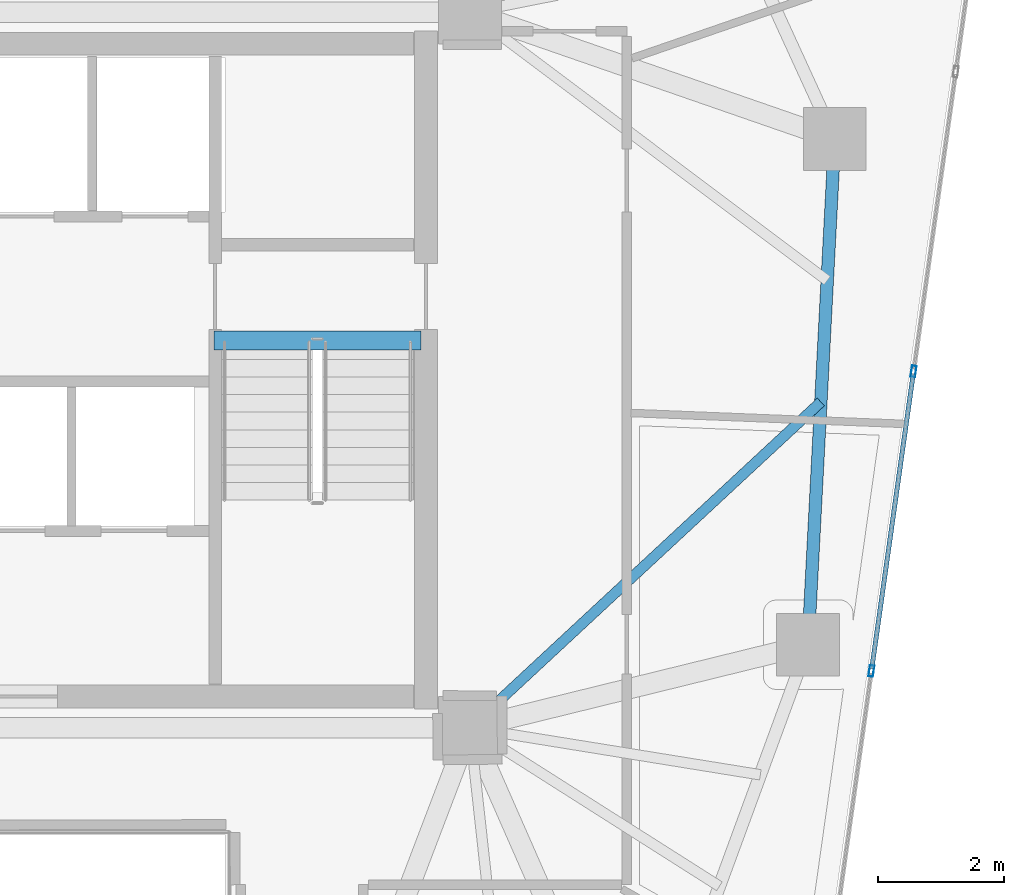
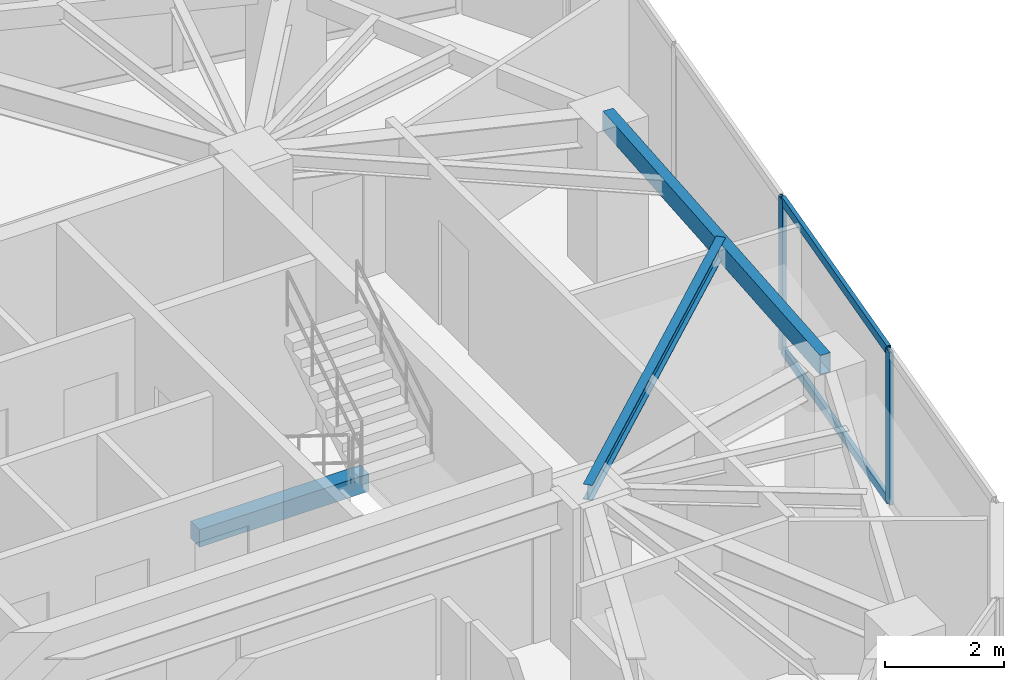
# One storey, part 11 of 21: 4 members, 3 beams, 1 element without a shape of its own.
"""IFC4 building model written with IfcOpenShell, lengths in metres."""

from ifc_helpers import new_model, si_unit, direction, frame, origin, origin_2d, place, context, subcontext, project, spatial, rectangle, hollow_rectangle, i_section, extrude, source, transform, mapped, material, layer, layer_set, material_profile, profile_set, type_object, type_shapes, element, aggregate, save


model = new_model("IFC4")

# Units and contexts
model_context = context("Model", 3, precision=1e-05, world=origin(), true_north=direction((0.0, 1.0)))
body_context = subcontext(model_context, "Body", "Model", "MODEL_VIEW")
ifc_project = project(units=[si_unit("LENGTHUNIT", "METRE"), si_unit("AREAUNIT", "SQUARE_METRE"), si_unit("VOLUMEUNIT", "CUBIC_METRE"), si_unit("PLANEANGLEUNIT", "RADIAN"), si_unit("MASSUNIT", "GRAM", prefix="KILO")], contexts=[model_context])

# Site, building, storey
site_placement = place(None, origin())
site = spatial("IfcSite", under=ifc_project, at=site_placement, CompositionType="ELEMENT")
building_placement = place(site_placement, origin())
building = spatial("IfcBuilding", under=site, at=building_placement, Name="Talar Marvaseh", CompositionType="ELEMENT")
storey_placement = place(building_placement, frame((0.0, 0.0, 232.699951171875)))
storey = spatial("IfcBuildingStorey", under=building, at=storey_placement, Name="L61", CompositionType="ELEMENT", Elevation=232.699951171875)

# Beams
ifc_material_1 = material(Name="Concrete C40/50", Category="concrete")
ifc_material_profile_1 = material_profile(ifc_material_1, rectangle(XDim=0.300048828125, YDim=0.360107421875, at=origin_2d()), Name="RC300x360")
ifc_profile_set_1 = profile_set([ifc_material_profile_1], Name="Concrete C40/50")
beam_type_1 = type_object("IfcBeamType", Name="Concrete Stair Landing Trimmer Beam RC300x360", PredefinedType="SPANDREL", material=ifc_profile_set_1)
beam_1_placement = place(storey_placement, frame((29.219970703125, 31.669921875, -0.179931640625), z_axis=(1.0, 0.0, 0.0), x_axis=(0.0, 1.0, 0.0)))
element("IfcBeam", 1, at=beam_1_placement, inside=storey, type_object=beam_type_1, Name="L61 ST-2 Stair Nosing Trimmer Beam", PredefinedType="SPANDREL", context=body_context, shape_type="SweptSolid", body=[
    extrude(rectangle(XDim=0.300048828125, YDim=0.360107421875, at=origin_2d()), origin(), (0.0, 0.0, 1.0), 3.300048828125),
])
ifc_material_2 = material(Name="Steel S355", Category="steel")
ifc_material_profile_2 = material_profile(ifc_material_2, hollow_rectangle(XDim=0.199951171875, YDim=0.39990234375, WallThickness=0.013916015625, at=origin_2d()), Name="RHS400x200x14")
ifc_profile_set_2 = profile_set([ifc_material_profile_2], Name="Steel S355")
beam_type_2 = type_object("IfcBeamType", Name="Zone 3 Perimeter Spandrel Beam RHS400x200x14", PredefinedType="SPANDREL", material=ifc_profile_set_2)
beam_2_placement = place(storey_placement, frame((39.113037109375, 34.884033203125, 2.949951171875), z_axis=(-0.052541369293, -0.998618748328, 0.0), x_axis=(0.998618748328, -0.052541369293, 0.0)))
element("IfcBeam", 2, at=beam_2_placement, inside=storey, type_object=beam_type_2, Name="L61 Zone 3 Perimeter Spandrel Beam RHS400x200x14", PredefinedType="SPANDREL", context=body_context, shape_type="SweptSolid", body=[
    extrude(hollow_rectangle(XDim=0.199951171875, YDim=0.39990234375, WallThickness=0.013916015625, at=origin_2d()), origin(), (0.0, 0.0, 1.0), 8.0712890625),
])
ifc_material_profile_3 = material_profile(ifc_material_2, i_section(OverallWidth=0.166015625, OverallDepth=0.31298828125, WebThickness=0.006591796875, FlangeThickness=0.01123046875, at=origin_2d()), Name="W310x45")
ifc_profile_set_3 = profile_set([ifc_material_profile_3], Name="Steel S355")
beam_type_3 = type_object("IfcBeamType", Name="Zone 3 Secondary Floor Joist W310x45", PredefinedType="JOIST", material=ifc_profile_set_3)
beam_3_placement = place(storey_placement, frame((38.892578125, 30.69287109375, 2.99365234375), z_axis=(-0.73280602476, -0.680437601897, 0.0), x_axis=(0.680437601897, -0.73280602476, 0.0)))
element("IfcBeam", 3, at=beam_3_placement, inside=storey, type_object=beam_type_3, Name="L61 Zone 3 Secondary Floor Joist W310x45", PredefinedType="JOIST", context=body_context, shape_type="SweptSolid", body=[
    extrude(i_section(OverallWidth=0.166015625, OverallDepth=0.31298828125, WebThickness=0.006591796875, FlangeThickness=0.01123046875, at=origin_2d()), origin(), (0.0, 0.0, 1.0), 7.631591796875),
])

# Curtain wall, members
ifc_material_3 = material(Name="Architectural Aluminium", Category="aluminium")
ifc_layer = layer(ifc_material_3, 0.18994140625)
ifc_layer_set = layer_set([ifc_layer], Name="Architectural Aluminium")
curtain_wall_type = type_object("IfcCurtainWallType", Name="Unitised Solar Atelier Curtain Wall Z3", PredefinedType="NOTDEFINED", material=ifc_layer_set)
curtain_wall_placement = place(storey_placement, origin())
curtain_wall = element("IfcCurtainWall", 4, at=curtain_wall_placement, inside=storey, type_object=curtain_wall_type, Name="L61 Unitised Solar Atelier Curtain Wall Z3", PredefinedType="NOTDEFINED")
ifc_material_profile_4 = material_profile(ifc_material_3, hollow_rectangle(XDim=0.074951171875, YDim=0.179931640625, WallThickness=0.0048828125, at=origin_2d()), Name="RHS180x75x5")
ifc_profile_set_4 = profile_set([ifc_material_profile_4], Name="Architectural Aluminium")
member_type_1 = type_object("IfcMemberType", Name="Unitised Curtain Wall Transom RHS180x75x5", PredefinedType="USERDEFINED", material=ifc_profile_set_4)
shared_shape_1 = source(origin(), body_context, "Body", "SweptSolid", [
    extrude(hollow_rectangle(XDim=0.074951171875, YDim=0.179931640625, WallThickness=0.0048828125, at=origin_2d()), origin(), (0.0, 0.0, 1.0), 4.7470703125),
])
type_shapes(member_type_1, [shared_shape_1])
member_1_placement = place(storey_placement, frame((40.364990234375, 31.143310546875, 0.03759765625), z_axis=(-0.139325752948, -0.990246602905, 0.0), x_axis=(0.990246602905, -0.139325752948, 0.0)))
member_1 = element("IfcMember", 5, at=member_1_placement, type_object=member_type_1, Name="CW-Z3 transom 3.1", ObjectType="TRANSOM", PredefinedType="USERDEFINED", context=body_context, shape_type="MappedRepresentation", body=[
    mapped(shared_shape_1, transform((0.0, 0.0, 0.0), x_axis=(1.0, 0.0, 0.0), y_axis=(0.0, 1.0, 0.0), z_axis=(0.0, 0.0, 1.0), scale=1.0)),
])
member_2_placement = place(storey_placement, frame((40.364990234375, 31.143310546875, 3.112548828125), z_axis=(-0.139325752948, -0.990246602905, 0.0), x_axis=(0.990246602905, -0.139325752948, 0.0)))
member_2 = element("IfcMember", 6, at=member_2_placement, type_object=member_type_1, Name="CW-Z3 transom 3.2", ObjectType="TRANSOM", PredefinedType="USERDEFINED", context=body_context, shape_type="MappedRepresentation", body=[
    mapped(shared_shape_1, transform((0.0, 0.0, 0.0), x_axis=(1.0, 0.0, 0.0), y_axis=(0.0, 1.0, 0.0), z_axis=(0.0, 0.0, 1.0), scale=1.0)),
])
ifc_material_profile_5 = material_profile(ifc_material_3, hollow_rectangle(XDim=0.074951171875, YDim=0.179931640625, WallThickness=0.0048828125, at=origin_2d()), Name="RHS180x75x5")
ifc_profile_set_5 = profile_set([ifc_material_profile_5], Name="Architectural Aluminium")
member_type_2 = type_object("IfcMemberType", Name="Unitised Curtain Wall Standard Mullion RHS180x75x5", PredefinedType="MULLION", material=ifc_profile_set_5)
shared_shape_2 = source(origin(), body_context, "Body", "SweptSolid", [
    extrude(hollow_rectangle(XDim=0.074951171875, YDim=0.179931640625, WallThickness=0.0048828125, at=origin_2d()), origin(), (0.0, 0.0, 1.0), 3.150146484375),
])
type_shapes(member_type_2, [shared_shape_2])
member_3_placement = place(storey_placement, frame((40.3701171875, 31.180419921875, 0.0), z_axis=(0.0, 0.0, 1.0), x_axis=(0.990246936028, -0.139323385282, 0.0)))
member_3 = element("IfcMember", 7, at=member_3_placement, type_object=member_type_2, Name="CW-Z3 mullion 3", PredefinedType="MULLION", context=body_context, shape_type="MappedRepresentation", body=[
    mapped(shared_shape_2, transform((0.0, 0.0, 0.0), x_axis=(1.0, 0.0, 0.0), y_axis=(0.0, 1.0, 0.0), z_axis=(0.0, 0.0, 1.0), scale=1.0)),
])
member_4_placement = place(storey_placement, frame((39.6982421875, 26.405517578125, 0.0), z_axis=(0.0, 0.0, 1.0), x_axis=(0.990246936028, -0.139323385282, 0.0)))
member_4 = element("IfcMember", 8, at=member_4_placement, type_object=member_type_2, Name="CW-Z3 mullion 4", PredefinedType="MULLION", context=body_context, shape_type="MappedRepresentation", body=[
    mapped(shared_shape_2, transform((0.0, 0.0, 0.0), x_axis=(1.0, 0.0, 0.0), y_axis=(0.0, 1.0, 0.0), z_axis=(0.0, 0.0, 1.0), scale=1.0)),
])
aggregate(curtain_wall, [member_3, member_4, member_1, member_2])

save(model, "model.ifc")
